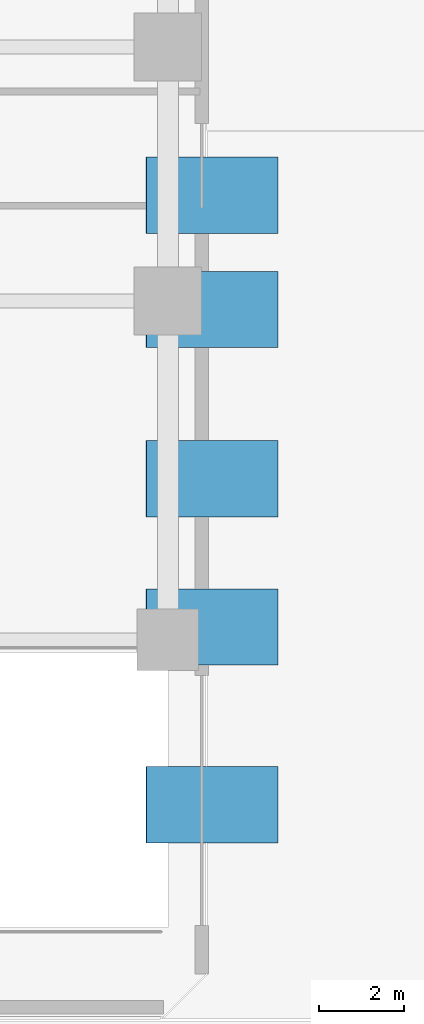
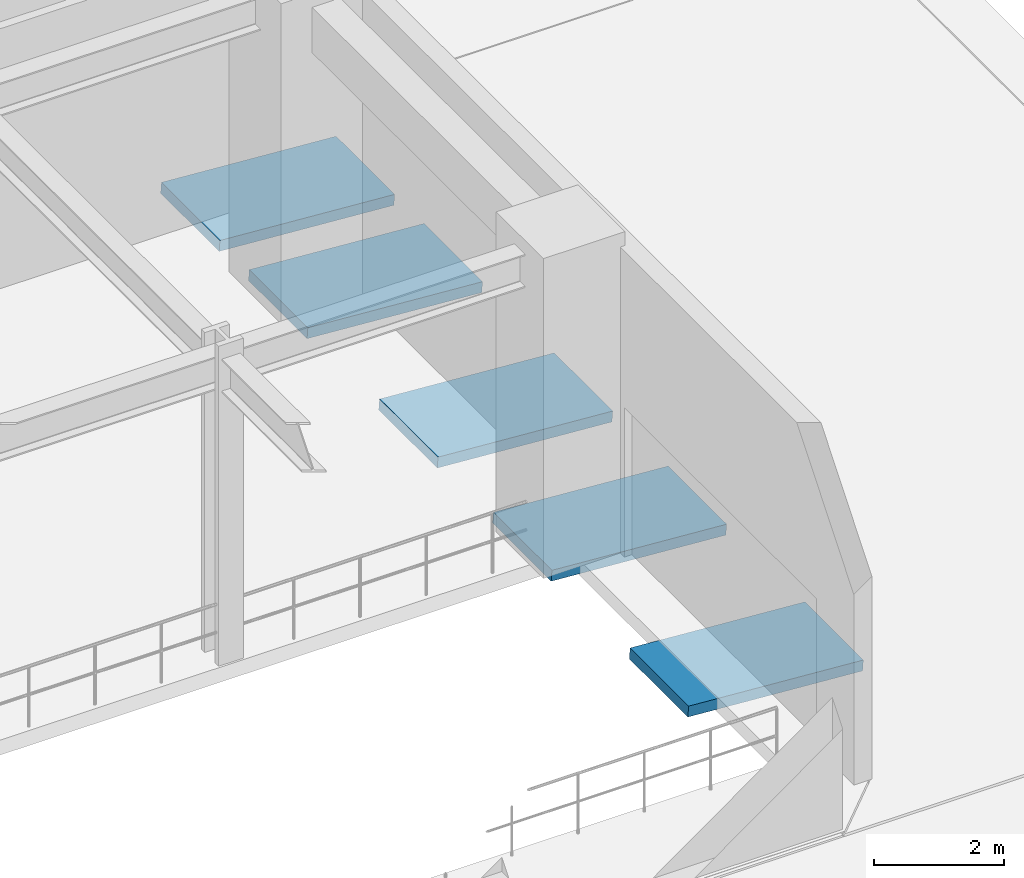
# One storey, part 8 of 13: 5 ramp flights, 5 elements without a shape of their own.
"""IFC4 building model written with IfcOpenShell, lengths in metres."""

from ifc_helpers import new_model, si_unit, direction, frame, origin, place, context, subcontext, project, spatial, polyline, outline, extrude, material, layer, layer_set, type_object, element, aggregate, save


model = new_model("IFC4")

# Units and contexts
model_context = context("Model", 3, precision=1e-05, world=origin(), true_north=direction((0.0, 1.0)))
body_context = subcontext(model_context, "Body", "Model", "MODEL_VIEW")
ifc_project = project(units=[si_unit("LENGTHUNIT", "METRE"), si_unit("AREAUNIT", "SQUARE_METRE"), si_unit("VOLUMEUNIT", "CUBIC_METRE"), si_unit("PLANEANGLEUNIT", "RADIAN"), si_unit("MASSUNIT", "GRAM", prefix="KILO")], contexts=[model_context])

# Site, building, storey
site_placement = place(None, origin())
site = spatial("IfcSite", under=ifc_project, at=site_placement, CompositionType="ELEMENT")
building_placement = place(site_placement, origin())
building = spatial("IfcBuilding", under=site, at=building_placement, Name="Torre Montelarca", CompositionType="ELEMENT")
storey_placement = place(building_placement, origin())
storey = spatial("IfcBuildingStorey", under=building, at=storey_placement, Name="L01", CompositionType="ELEMENT", Elevation=0.0)

# Ramp, ramp flight
ifc_material = material(Name="Architectural concrete C40/50", Category="concrete")
ifc_layer_1 = layer(ifc_material, 0.199951171875, Name="Architectural concrete C40/50", Category="concrete")
ifc_layer_set_1 = layer_set([ifc_layer_1], Name="Architectural concrete C40/50")
ramp_type = type_object("IfcRampType", Name="RMP-PED-1800", PredefinedType="STRAIGHT_RUN_RAMP", material=ifc_layer_set_1)
ramp_1_placement = place(storey_placement, origin())
ramp_1 = element("IfcRamp", 1, at=ramp_1_placement, inside=storey, type_object=ramp_type, Name="Accessible Plaza Pedestrian Ramp PR-S1", PredefinedType="STRAIGHT_RUN_RAMP")
ifc_layer_2 = layer(ifc_material, 0.199951171875, Name="Architectural concrete C40/50", Category="concrete")
ifc_layer_set_2 = layer_set([ifc_layer_2], Name="Architectural concrete C40/50")
ramp_flight_type = type_object("IfcRampFlightType", Name="RMPF-PED-200", PredefinedType="STRAIGHT", material=ifc_layer_set_2)
ramp_flight_1_placement = place(storey_placement, frame((80.60009765625, 27.199951171875, -0.219970703125), z_axis=(0.070778104326, 0.0, 0.997492085156), x_axis=(-0.997492085156, 0.0, 0.070778104326)))
ramp_flight_1 = element("IfcRampFlight", 2, at=ramp_flight_1_placement, type_object=ramp_flight_type, Name="Accessible Plaza Pedestrian Ramp Flight PR-S1", PredefinedType="STRAIGHT", context=body_context, shape_type="SweptSolid", body=[
    extrude(outline(polyline([(0.0, 0.0), (3.10789198469317, 0.0), (3.10789198469317, -1.800048828125), (0.0, -1.800048828125), (0.0, 0.0)])), origin(), (0.0, 0.0, -1.0), 0.199951171875),
])
aggregate(ramp_1, [ramp_flight_1])

ramp_2_placement = place(storey_placement, origin())
ramp_2 = element("IfcRamp", 3, at=ramp_2_placement, inside=storey, type_object=ramp_type, Name="Accessible Plaza Pedestrian Ramp PR-S2", PredefinedType="STRAIGHT_RUN_RAMP")
ramp_flight_2_placement = place(storey_placement, frame((80.60009765625, 34.89990234375, -0.219970703125), z_axis=(0.070778104326, 0.0, 0.997492085156), x_axis=(-0.997492085156, 0.0, 0.070778104326)))
ramp_flight_2 = element("IfcRampFlight", 4, at=ramp_flight_2_placement, type_object=ramp_flight_type, Name="Accessible Plaza Pedestrian Ramp Flight PR-S2", PredefinedType="STRAIGHT", context=body_context, shape_type="SweptSolid", body=[
    extrude(outline(polyline([(0.0, 0.0), (3.10789198469317, 0.0), (3.10789198469317, -1.800048828125), (0.0, -1.800048828125), (0.0, 0.0)])), origin(), (0.0, 0.0, -1.0), 0.199951171875),
])
aggregate(ramp_2, [ramp_flight_2])

ramp_3_placement = place(storey_placement, origin())
ramp_3 = element("IfcRamp", 5, at=ramp_3_placement, inside=storey, type_object=ramp_type, Name="Accessible Plaza Pedestrian Ramp PR-E1", PredefinedType="STRAIGHT_RUN_RAMP")
ramp_flight_3_placement = place(storey_placement, frame((80.60009765625, 31.39990234375, -0.219970703125), z_axis=(0.070778104326, 0.0, 0.997492085156), x_axis=(-0.997492085156, 0.0, 0.070778104326)))
ramp_flight_3 = element("IfcRampFlight", 6, at=ramp_flight_3_placement, type_object=ramp_flight_type, Name="Accessible Plaza Pedestrian Ramp Flight PR-E1", PredefinedType="STRAIGHT", context=body_context, shape_type="SweptSolid", body=[
    extrude(outline(polyline([(0.0, 0.0), (3.10789198469317, 0.0), (3.10789198469317, -1.800048828125), (0.0, -1.800048828125), (0.0, 0.0)])), origin(), (0.0, 0.0, -1.0), 0.199951171875),
])
aggregate(ramp_3, [ramp_flight_3])

ramp_4_placement = place(storey_placement, origin())
ramp_4 = element("IfcRamp", 7, at=ramp_4_placement, inside=storey, type_object=ramp_type, Name="Accessible Plaza Pedestrian Ramp PR-E2", PredefinedType="STRAIGHT_RUN_RAMP")
ramp_flight_4_placement = place(storey_placement, frame((80.60009765625, 38.89990234375, -0.219970703125), z_axis=(0.070778104326, 0.0, 0.997492085156), x_axis=(-0.997492085156, 0.0, 0.070778104326)))
ramp_flight_4 = element("IfcRampFlight", 8, at=ramp_flight_4_placement, type_object=ramp_flight_type, Name="Accessible Plaza Pedestrian Ramp Flight PR-E2", PredefinedType="STRAIGHT", context=body_context, shape_type="SweptSolid", body=[
    extrude(outline(polyline([(0.0, 0.0), (3.10789198469317, 0.0), (3.10789198469317, -1.800048828125), (0.0, -1.800048828125), (0.0, 0.0)])), origin(), (0.0, 0.0, -1.0), 0.199951171875),
])
aggregate(ramp_4, [ramp_flight_4])

ramp_5_placement = place(storey_placement, origin())
ramp_5 = element("IfcRamp", 9, at=ramp_5_placement, inside=storey, type_object=ramp_type, Name="Accessible Plaza Pedestrian Ramp PR-E3", PredefinedType="STRAIGHT_RUN_RAMP")
ramp_flight_5_placement = place(storey_placement, frame((80.60009765625, 41.60009765625, -0.219970703125), z_axis=(0.070778104326, 0.0, 0.997492085156), x_axis=(-0.997492085156, 0.0, 0.070778104326)))
ramp_flight_5 = element("IfcRampFlight", 10, at=ramp_flight_5_placement, type_object=ramp_flight_type, Name="Accessible Plaza Pedestrian Ramp Flight PR-E3", PredefinedType="STRAIGHT", context=body_context, shape_type="SweptSolid", body=[
    extrude(outline(polyline([(0.0, 0.0), (3.10789198469317, 0.0), (3.10789198469317, -1.7998046875), (0.0, -1.7998046875), (0.0, 0.0)])), origin(), (0.0, 0.0, -1.0), 0.199951171875),
])
aggregate(ramp_5, [ramp_flight_5])

save(model, "model.ifc")
